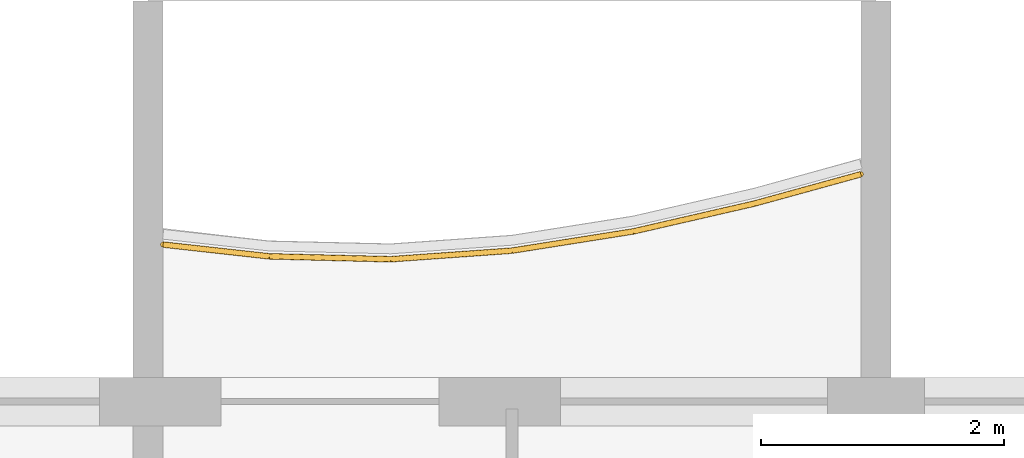
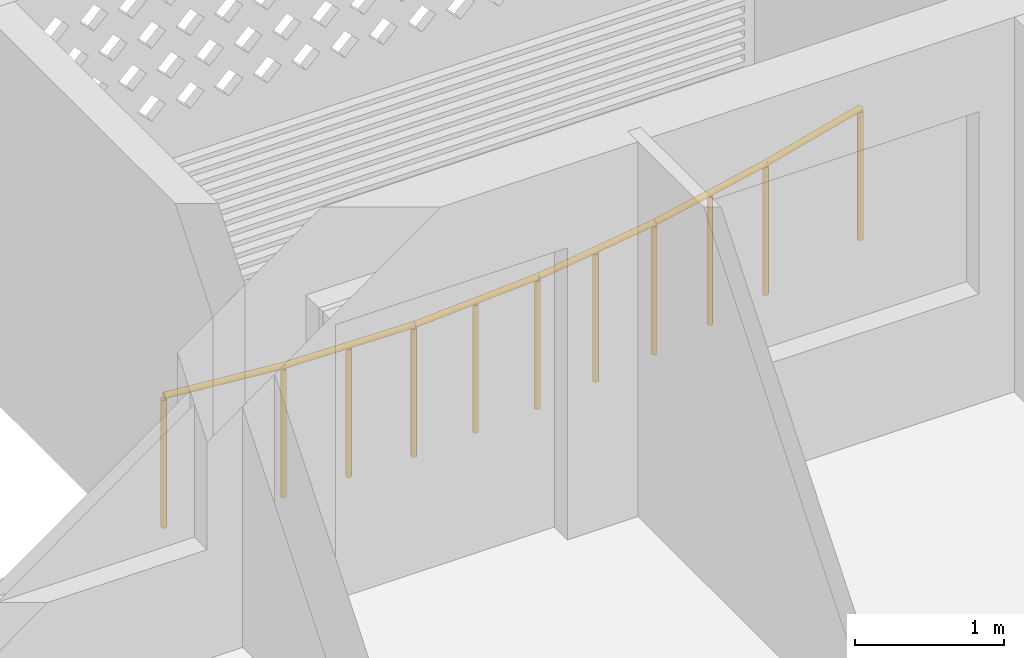
# One storey, part 24 of 27: 1 railing.
"""IFC4 building model written with IfcOpenShell, lengths in metres."""

import ifcopenshell
import ifcopenshell.guid

model = None  # the IFC model being written
_history = None  # IfcOwnerHistory: only IFC2X3 demands one
_inside = {}  # id of a spatial element -> (the spatial element, [elements in it])
_under = {}  # id of a project, library or spatial element -> (it, [spatial elements below it])
_declared = {}  # id of a project -> (the project, [libraries it declares])
_typed = {}  # id of a type object -> (the type object, [elements of that type])
_made_of = {}  # id of a material, layer set ... -> (it, [elements and type objects made of it])


def new_model(schema):
    """Start an empty IFC model of exactly this schema.

    Asked for "IFC4X3", IfcOpenShell would pick the latest addendum, in which some entities
    have other attributes; the version numbers below select the first issue.
    IFC2X3 requires an IfcOwnerHistory on every rooted entity: one is made here for all.
    """
    global model, _history
    if schema == "IFC4X3":
        model = ifcopenshell.file(schema_version=(4, 3, 0, 0))
    else:
        model = ifcopenshell.file(schema=schema)
    _inside.clear()
    _under.clear()
    _declared.clear()
    _typed.clear()
    _made_of.clear()
    _history = None
    if model.schema == "IFC2X3":
        org = make("IfcOrganization", Name="unknown")
        user = make(
            "IfcPersonAndOrganization",
            ThePerson=make("IfcPerson", FamilyName="unknown"),
            TheOrganization=org,
        )
        app = make(
            "IfcApplication",
            ApplicationDeveloper=org,
            Version="unknown",
            ApplicationFullName="unknown",
            ApplicationIdentifier="unknown",
        )
        _history = make(
            "IfcOwnerHistory",
            OwningUser=user,
            OwningApplication=app,
            ChangeAction="ADDED",
            CreationDate=0,
        )
    return model


def make(cls, **values):
    """One entity of the class cls with the attributes given. An attribute that is None is left unset."""
    return model.create_entity(
        cls, **{name: value for name, value in values.items() if value is not None}
    )


def rooted(cls, **values):
    """An entity with a GlobalId (a new one), such as an element, a storey or a relation."""
    return make(cls, GlobalId=ifcopenshell.guid.new(), OwnerHistory=_history, **values)


def si_unit(unit_type, name, prefix=None):
    """IfcSIUnit, for example si_unit("LENGTHUNIT", "METRE", prefix="MILLI")."""
    return make("IfcSIUnit", UnitType=unit_type, Prefix=prefix, Name=name)


def assignment(units):
    """IfcUnitAssignment: the units of a project."""
    return None if units is None else make("IfcUnitAssignment", Units=units)


def point(xyz):
    """IfcCartesianPoint."""
    return None if xyz is None else make("IfcCartesianPoint", Coordinates=xyz)


def direction(xyz):
    """IfcDirection."""
    return None if xyz is None else make("IfcDirection", DirectionRatios=xyz)


def frame(location, z_axis=None, x_axis=None):
    """IfcAxis2Placement3D, a coordinate frame: its origin and axes. An axis left out is left unset."""
    return make(
        "IfcAxis2Placement3D",
        Location=point(location),
        Axis=direction(z_axis),
        RefDirection=direction(x_axis),
    )


def frame_2d(location, x_axis=None):
    """IfcAxis2Placement2D, a coordinate frame in the plane: its origin and x axis."""
    return make(
        "IfcAxis2Placement2D", Location=point(location), RefDirection=direction(x_axis)
    )


def origin():
    """The frame at (0, 0, 0) with its axes left unset."""
    return frame((0.0, 0.0, 0.0))


def origin_2d():
    """The frame at (0, 0) in the plane with its x axis left unset."""
    return frame_2d((0.0, 0.0))


def place(relative_to, where):
    """IfcLocalPlacement: puts the frame where relative to a parent placement (None: the world)."""
    return make(
        "IfcLocalPlacement", PlacementRelTo=relative_to, RelativePlacement=where
    )


def context(
    kind, dimensions, precision=None, world=None, true_north=None, identifier=None
):
    """IfcGeometricRepresentationContext, for example the 3D "Model" context."""
    return make(
        "IfcGeometricRepresentationContext",
        ContextIdentifier=identifier,
        ContextType=kind,
        CoordinateSpaceDimension=dimensions,
        Precision=precision,
        WorldCoordinateSystem=world,
        TrueNorth=true_north,
    )


def subcontext(parent, identifier, kind, view, scale=None):
    """IfcGeometricRepresentationSubContext, for example "Body" below "Model"."""
    return make(
        "IfcGeometricRepresentationSubContext",
        ContextIdentifier=identifier,
        ContextType=kind,
        ParentContext=parent,
        TargetScale=scale,
        TargetView=view,
    )


def project(units=None, contexts=None):
    """IfcProject with its units and contexts."""
    return rooted(
        "IfcProject",
        Name="project",
        RepresentationContexts=contexts,
        UnitsInContext=assignment(units),
    )


def spatial(cls, under=None, at=None, **own):
    """A site, building, storey or space (cls), placed at a placement, below another one or the project."""
    s = rooted(cls, ObjectPlacement=at, **own)
    if under is not None:
        _under.setdefault(under.id(), (under, []))[1].append(s)
    return s


def profile(cls, at=None, kind="AREA", **sizes):
    """A parametric profile (cls). Its sizes go by their IFC names, for example OverallWidth=200.0."""
    return make(cls, ProfileType=kind, Position=at, **sizes)


def circle(**sizes):
    """IfcCircleProfileDef."""
    return profile("IfcCircleProfileDef", **sizes)


def extrude(swept, where, along, depth):
    """IfcExtrudedAreaSolid: the profile swept, set in the frame where, extruded along a direction by depth."""
    return make(
        "IfcExtrudedAreaSolid",
        SweptArea=swept,
        Position=where,
        ExtrudedDirection=direction(along),
        Depth=depth,
    )


def shape(context_of_items, identifier, shape_type, items):
    """IfcShapeRepresentation: the items that make up one representation, for example the "Body"."""
    return make(
        "IfcShapeRepresentation",
        ContextOfItems=context_of_items,
        RepresentationIdentifier=identifier,
        RepresentationType=shape_type,
        Items=items,
    )


def material(Name=None, Category=None):
    """IfcMaterial."""
    return make("IfcMaterial", Name=Name, Category=Category)


def made_of(thing, what):
    """Note that an element or type object is made of a material, layer set ...; save() writes the relation."""
    if what is not None:
        _made_of.setdefault(what.id(), (what, []))[1].append(thing)
    return thing


def type_object(cls, material=None, **own):
    """A type object (cls), such as IfcWallType, which elements share."""
    return made_of(rooted(cls, **own), material)


def element(
    cls,
    number,
    at=None,
    inside=None,
    cuts=None,
    type_object=None,
    material=None,
    context=None,
    identifier="Body",
    shape_type=None,
    held_by="IfcProductDefinitionShape",
    body=None,
    shapes=None,
    **own,
):
    """One element of the class cls, such as IfcWall. Its Tag is "e" and its number.

    at: its placement. inside: the storey or other place that contains it. cuts: it is an
    opening in that element (IfcRelVoidsElement). A single representation is given by context,
    identifier, shape_type and body (its items); several are given by shapes. held_by: the class
    of the entity that holds the representations. save() writes the other relations.
    """
    e = rooted(cls, Tag="e%d" % number, ObjectPlacement=at, **own)
    if body is not None:
        shapes = [shape(context, identifier, shape_type, body)]
    if shapes is not None:
        e.Representation = make(held_by, Representations=shapes)
    if inside is not None:
        _inside.setdefault(inside.id(), (inside, []))[1].append(e)
    if cuts is not None:
        rooted(
            "IfcRelVoidsElement", RelatingBuildingElement=cuts, RelatedOpeningElement=e
        )
    if type_object is not None:
        _typed.setdefault(type_object.id(), (type_object, []))[1].append(e)
    return made_of(e, material)


def aggregate(whole, parts):
    """IfcRelAggregates: a whole, such as a stair, and the parts it consists of."""
    return rooted("IfcRelAggregates", RelatingObject=whole, RelatedObjects=parts)


def save(model, path):
    """Write the relations noted so far, then the file.

    IfcRelAggregates (storeys below a building ...), IfcRelContainedInSpatialStructure (elements
    in a storey), IfcRelDefinesByType, IfcRelAssociatesMaterial and IfcRelDeclares: one each for
    every whole, place, type object, material and project.
    """
    for whole, parts in _under.values():
        aggregate(whole, parts)
    for where, things in _inside.values():
        rooted(
            "IfcRelContainedInSpatialStructure",
            RelatedElements=things,
            RelatingStructure=where,
        )
    for kind, things in _typed.values():
        rooted("IfcRelDefinesByType", RelatedObjects=things, RelatingType=kind)
    for what, things in _made_of.values():
        rooted("IfcRelAssociatesMaterial", RelatedObjects=things, RelatingMaterial=what)
    for by, libraries in _declared.values():
        rooted("IfcRelDeclares", RelatingContext=by, RelatedDefinitions=libraries)
    model.write(path)


model = new_model("IFC4")

# Units and contexts
model_context = context("Model", 3, precision=1e-05, world=origin(), true_north=direction((0.0, 1.0)))
body_context = subcontext(model_context, "Body", "Model", "MODEL_VIEW")
ifc_project = project(units=[si_unit("LENGTHUNIT", "METRE"), si_unit("AREAUNIT", "SQUARE_METRE"), si_unit("VOLUMEUNIT", "CUBIC_METRE"), si_unit("PLANEANGLEUNIT", "RADIAN"), si_unit("MASSUNIT", "GRAM", prefix="KILO")], contexts=[model_context])

# Site, building, storey
site_placement = place(None, origin())
site = spatial("IfcSite", under=ifc_project, at=site_placement, CompositionType="ELEMENT")
building_placement = place(site_placement, origin())
building = spatial("IfcBuilding", under=site, at=building_placement, Name="Poui Terraces", CompositionType="ELEMENT")
storey_placement = place(building_placement, frame((0.0, 0.0, 201.60009765625)))
storey = spatial("IfcBuildingStorey", under=building, at=storey_placement, Name="L56", CompositionType="ELEMENT", Elevation=201.60009765625)

# Railing
ifc_material = material(Name="Painted steel fretwork", Category="steel")
railing_type = type_object("IfcRailingType", Name="BALCONY GUARD 1100", PredefinedType="GUARDRAIL", material=ifc_material)
railing_placement = place(storey_placement, frame((60.125, 42.493896484375, 0.0)))
element("IfcRailing", 1, at=railing_placement, inside=storey, type_object=railing_type, Name="BALCONY GUARD", PredefinedType="GUARDRAIL", context=body_context, shape_type="SweptSolid", body=[
    extrude(circle(Radius=0.02392578125, at=origin_2d()), frame((0.0, 0.0, 1.076171875), z_axis=(0.993920879966, -0.110096704617, 0.0), x_axis=(0.110096704617, 0.993920879966, 0.0)), (0.0, 0.0, 1.0), 0.88037109375),
    extrude(circle(Radius=0.02392578125, at=origin_2d()), frame((0.875, -0.096923828125, 1.076171875), z_axis=(0.999713901321, -0.023918936116, 0.0), x_axis=(0.023918936116, 0.999713901321, 0.0)), (0.0, 0.0, 1.0), 1.000244140625),
    extrude(circle(Radius=0.02392578125, at=origin_2d()), frame((1.875, -0.120849609375, 1.076171875), z_axis=(0.997485823051, 0.07086630237, 0.0), x_axis=(-0.07086630237, 0.997485823051, 0.0)), (0.0, 0.0, 1.0), 1.00244140625),
    extrude(circle(Radius=0.02392578125, at=origin_2d()), frame((2.875, -0.0498046875, 1.076171875), z_axis=(0.9876787513, 0.156494997459, 0.0), x_axis=(-0.156494997459, 0.9876787513, 0.0)), (0.0, 0.0, 1.0), 1.012451171875),
    extrude(circle(Radius=0.02392578125, at=origin_2d()), frame((3.875, 0.108642578125, 1.076171875), z_axis=(0.974559344395, 0.224129614849, 0.0), x_axis=(-0.224129614849, 0.974559344395, 0.0)), (0.0, 0.0, 1.0), 1.026123046875),
    extrude(circle(Radius=0.02392578125, at=origin_2d()), frame((4.875, 0.338623046875, 1.076171875), z_axis=(0.964109044375, 0.265506592299, 0.0), x_axis=(-0.265506592299, 0.964109044375, 0.0)), (0.0, 0.0, 1.0), 0.907470703125),
    extrude(circle(Radius=0.02099609375, at=origin_2d()), origin(), (0.0, 0.0, 1.0), 1.052001953125),
    extrude(circle(Radius=0.02099609375, at=origin_2d()), frame((0.875, -0.096923828125, 0.0)), (0.0, 0.0, 1.0), 1.052001953125),
    extrude(circle(Radius=0.02099609375, at=origin_2d()), frame((1.375, -0.10888671875, 0.0)), (0.0, 0.0, 1.0), 1.052001953125),
    extrude(circle(Radius=0.02099609375, at=origin_2d()), frame((1.875, -0.120849609375, 0.0)), (0.0, 0.0, 1.0), 1.052001953125),
    extrude(circle(Radius=0.02099609375, at=origin_2d()), frame((2.375, -0.08544921875, 0.0)), (0.0, 0.0, 1.0), 1.052001953125),
    extrude(circle(Radius=0.02099609375, at=origin_2d()), frame((2.875, -0.0498046875, 0.0)), (0.0, 0.0, 1.0), 1.052001953125),
    extrude(circle(Radius=0.02099609375, at=origin_2d()), frame((3.375, 0.029296875, 0.0)), (0.0, 0.0, 1.0), 1.052001953125),
    extrude(circle(Radius=0.02099609375, at=origin_2d()), frame((3.875, 0.108642578125, 0.0)), (0.0, 0.0, 1.0), 1.052001953125),
    extrude(circle(Radius=0.02099609375, at=origin_2d()), frame((4.375, 0.2236328125, 0.0)), (0.0, 0.0, 1.0), 1.052001953125),
    extrude(circle(Radius=0.02099609375, at=origin_2d()), frame((4.875, 0.338623046875, 0.0)), (0.0, 0.0, 1.0), 1.052001953125),
    extrude(circle(Radius=0.02099609375, at=origin_2d()), frame((5.75, 0.57958984375, 0.0)), (0.0, 0.0, 1.0), 1.052001953125),
])

save(model, "model.ifc")
